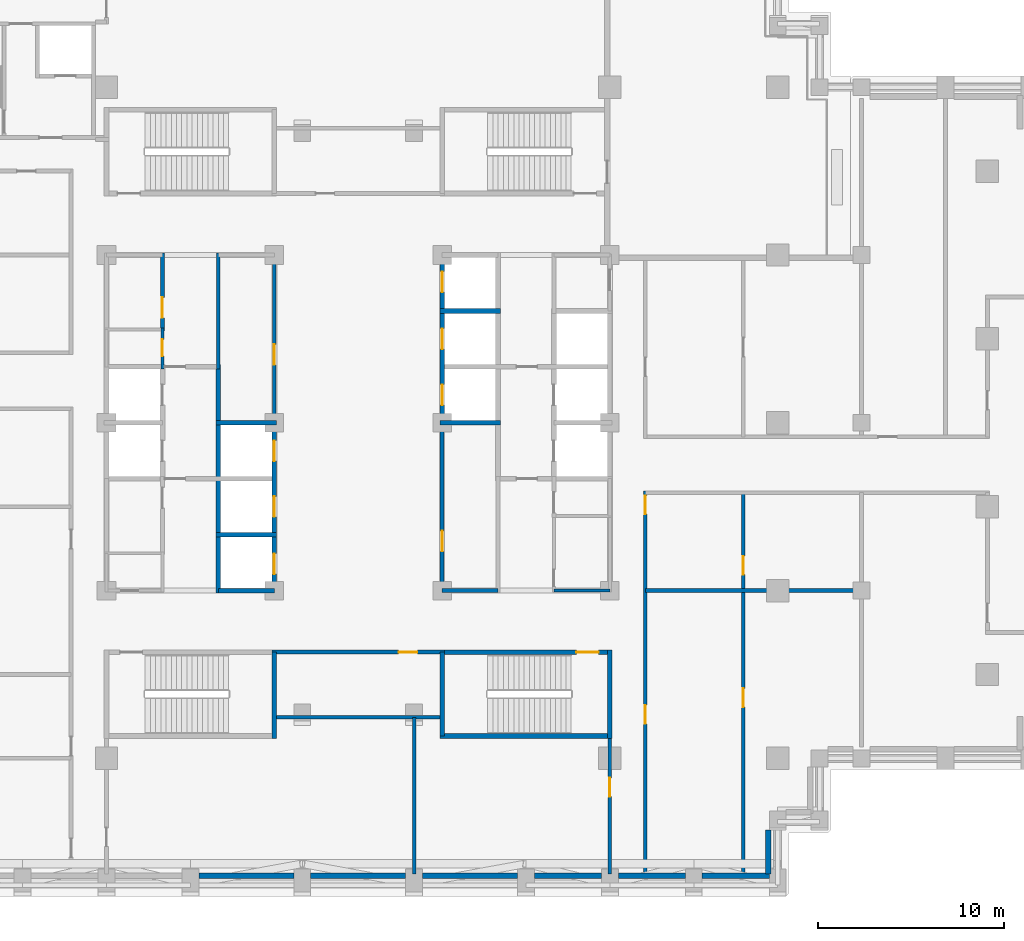
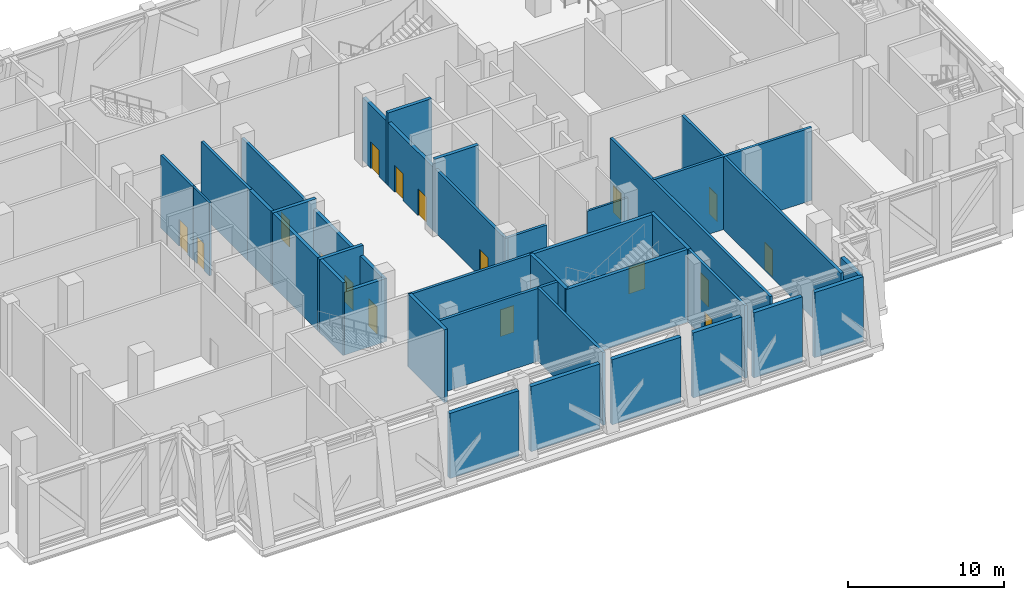
# One storey, part 6 of 14: 34 walls, 17 doors, 17 openings.
"""IFC4 building model written with IfcOpenShell, lengths in metres."""

from ifc_helpers import new_model, si_unit, direction, frame, frame_2d, origin, place, context, subcontext, project, spatial, rectangle, extrude, material, layer, layer_set, type_object, element, fill, save


model = new_model("IFC4")

# Units and contexts
model_context = context("Model", 3, precision=1e-05, world=origin(), true_north=direction((0.0, 1.0)))
body_context = subcontext(model_context, "Body", "Model", "MODEL_VIEW")
ifc_project = project(units=[si_unit("LENGTHUNIT", "METRE"), si_unit("AREAUNIT", "SQUARE_METRE"), si_unit("VOLUMEUNIT", "CUBIC_METRE"), si_unit("PLANEANGLEUNIT", "RADIAN"), si_unit("MASSUNIT", "GRAM", prefix="KILO")], contexts=[model_context])

# Site, building, storey
site_placement = place(None, origin())
site = spatial("IfcSite", under=ifc_project, at=site_placement, CompositionType="ELEMENT")
building_placement = place(site_placement, origin())
building = spatial("IfcBuilding", under=site, at=building_placement, Name="Corbelhall Arena Tower", CompositionType="ELEMENT")
storey_placement = place(building_placement, frame((0.0, 0.0, 120.0)))
storey = spatial("IfcBuildingStorey", under=building, at=storey_placement, Name="L22", CompositionType="ELEMENT", Elevation=120.0)

# Walls
ifc_material_1 = material(Name="Precast concrete C40/50 with granite facing", Category="masonry")
ifc_layer_1 = layer(ifc_material_1, 0.300048828125)
ifc_layer_set_1 = layer_set([ifc_layer_1], Name="EV-IW1 Infill panel 300")
wall_type_1 = type_object("IfcWallType", Name="EV-IW1 Infill panel 300", PredefinedType="SOLIDWALL", material=ifc_layer_set_1)
for number, where, z_axis, x_axis, name in (
    (1, (-8.550048828125, -24.300048828125, 0.0), (0.0, 0.0, 1.0), (1.0, 0.0, 0.0), "Infill panel IW1"),
    (2, (-2.550048828125, -24.300048828125, 0.0), (0.0, 0.0, 1.0), (1.0, 0.0, 0.0), "Infill panel IW1"),
    (3, (3.449951171875, -24.300048828125, 0.0), (0.0, 0.0, 1.0), (1.0, 0.0, 0.0), "Infill panel IW1"),
):
    element("IfcWall", number, at=place(storey_placement, frame(where, z_axis=z_axis, x_axis=x_axis)), inside=storey, type_object=wall_type_1, Name=name, PredefinedType="SOLIDWALL", context=body_context, shape_type="SweptSolid", body=[
        extrude(rectangle(XDim=5.10009765625, YDim=0.300048828125, at=frame_2d((2.550048828125, 0.0))), origin(), (0.0, 0.0, 1.0), 5.10009765625),
    ])
for number, where, z_axis, x_axis, name in (
    (4, (9.449951171875, -24.300048828125, 0.0), (0.0, 0.0, 1.0), (1.0, 0.0, 0.0), "Infill panel IW1"),
    (5, (13.949951171875, -24.300048828125, 0.0), (0.0, 0.0, 1.0), (1.0, 0.0, 0.0), "Infill panel IW1"),
    (6, (18.449951171875, -24.300048828125, 0.0), (0.0, 0.0, 1.0), (1.0, 0.0, 0.0), "Infill panel IW1"),
):
    element("IfcWall", number, at=place(storey_placement, frame(where, z_axis=z_axis, x_axis=x_axis)), inside=storey, type_object=wall_type_1, Name=name, PredefinedType="SOLIDWALL", context=body_context, shape_type="SweptSolid", body=[
        extrude(rectangle(XDim=3.60009765625, YDim=0.300048828125, at=frame_2d((1.800048828125, 0.0))), origin(), (0.0, 0.0, 1.0), 5.10009765625),
    ])
wall_1_placement = place(storey_placement, frame((22.0, -24.199951171875, 0.0), z_axis=(0.0, 0.0, 1.0), x_axis=(0.0, 1.0, 0.0)))
element("IfcWall", 7, at=wall_1_placement, inside=storey, type_object=wall_type_1, Name="Infill panel IW1", PredefinedType="SOLIDWALL", context=body_context, shape_type="SweptSolid", body=[
    extrude(rectangle(XDim=2.349853515625, YDim=0.300048828125, at=frame_2d((1.1748046875, 0.0))), origin(), (0.0, 0.0, 1.0), 5.10009765625),
])
ifc_material_2 = material(Name="Gypsum board on steel stud, acoustic", Category="steel")
ifc_layer_2 = layer(ifc_material_2, 0.199951171875)
ifc_layer_set_2 = layer_set([ifc_layer_2], Name="IN-W-DM200")
wall_type_2 = type_object("IfcWallType", Name="IN-W-DM200", PredefinedType="PARTITIONING", material=ifc_layer_set_2)
wall_2_placement = place(storey_placement, frame((4.5, -15.800048828125, 0.0), z_axis=(0.0, 0.0, 1.0), x_axis=(-1.0, 0.0, 0.0)))
element("IfcWall", 8, at=wall_2_placement, inside=storey, type_object=wall_type_2, Name="Partition 024", PredefinedType="PARTITIONING", context=body_context, shape_type="SweptSolid", body=[
    extrude(rectangle(XDim=9.0, YDim=0.199951171875, at=frame_2d((4.5, 0.0))), origin(), (0.0, 0.0, 1.0), 5.699951171875),
])
wall_3_placement = place(storey_placement, frame((3.0, -15.800048828125, 0.0), z_axis=(0.0, 0.0, 1.0), x_axis=(0.0, -1.0, 0.0)))
element("IfcWall", 9, at=wall_3_placement, inside=storey, type_object=wall_type_2, Name="Partition 025", PredefinedType="PARTITIONING", context=body_context, shape_type="SweptSolid", body=[
    extrude(rectangle(XDim=8.39990234375, YDim=0.199951171875, at=frame_2d((4.199951171875, 0.0))), origin(), (0.0, 0.0, 1.0), 5.699951171875),
])

# Wall, opening, door
wall_4_placement = place(storey_placement, frame((4.625, -12.300048828125, 0.0), z_axis=(0.0, 0.0, 1.0), x_axis=(-1.0, 0.0, 0.0)))
wall_4 = element("IfcWall", 10, at=wall_4_placement, inside=storey, type_object=wall_type_2, Name="Partition 026", PredefinedType="PARTITIONING", context=body_context, shape_type="SweptSolid", body=[
    extrude(rectangle(XDim=9.25, YDim=0.199951171875, at=frame_2d((4.625, 0.0))), origin(), (0.0, 0.0, 1.0), 5.699951171875),
])
opening_1_placement = place(wall_4_placement, frame((1.449951171875, 0.0, 0.0)))
opening_1 = element("IfcOpeningElement", 11, at=opening_1_placement, cuts=wall_4, Name="Opening 26023", PredefinedType="OPENING", context=body_context, shape_type="SweptSolid", body=[
    extrude(rectangle(XDim=1.0, YDim=2.10009765625, at=frame_2d((0.5, 1.050048828125))), frame((0.0, 0.10009765625, 0.0), z_axis=(0.0, -1.0, 0.0), x_axis=(1.0, 0.0, 0.0)), (0.0, 0.0, 1.0), 0.199951171875),
])
ifc_material_3 = material(Name="Steel door set", Category="steel")
door_type_1 = type_object("IfcDoorType", Name="IN-D-SW100", OperationType="NOTDEFINED", PredefinedType="DOOR", material=ifc_material_3)
door_1_placement = place(opening_1_placement, origin())
door_1 = element("IfcDoor", 12, at=door_1_placement, inside=storey, type_object=door_type_1, Name="Door 023", OperationType="SINGLE_SWING_RIGHT", OverallHeight=2.10009765625, OverallWidth=1.0, PredefinedType="DOOR", context=body_context, shape_type="SweptSolid", body=[
    extrude(rectangle(XDim=1.0, YDim=2.10009765625, at=frame_2d((0.5, 1.050048828125))), frame((0.0, 0.02490234375, 0.0), z_axis=(0.0, -1.0, 0.0), x_axis=(1.0, 0.0, 0.0)), (0.0, 0.0, 1.0), 0.050048828125),
])
fill(opening_1, door_1)

wall_5_placement = place(storey_placement, frame((13.5, -24.199951171875, 0.0), z_axis=(0.0, 0.0, 1.0), x_axis=(0.0, 1.0, 0.0)))
wall_5 = element("IfcWall", 13, at=wall_5_placement, inside=storey, type_object=wall_type_2, Name="Partition 027", PredefinedType="PARTITIONING", context=body_context, shape_type="SweptSolid", body=[
    extrude(rectangle(XDim=7.52490234375, YDim=0.199951171875, at=frame_2d((3.762451171875, 0.0))), origin(), (0.0, 0.0, 1.0), 5.699951171875),
])
opening_2_placement = place(wall_5_placement, frame((4.14990234375, 0.0, 0.0)))
opening_2 = element("IfcOpeningElement", 14, at=opening_2_placement, cuts=wall_5, Name="Opening 26026", PredefinedType="OPENING", context=body_context, shape_type="SweptSolid", body=[
    extrude(rectangle(XDim=1.0, YDim=2.10009765625, at=frame_2d((0.5, 1.050048828125))), frame((0.0, 0.10009765625, 0.0), z_axis=(0.0, -1.0, 0.0), x_axis=(1.0, 0.0, 0.0)), (0.0, 0.0, 1.0), 0.199951171875),
])
door_2_placement = place(opening_2_placement, origin())
door_2 = element("IfcDoor", 15, at=door_2_placement, inside=storey, type_object=door_type_1, Name="Door 026", OperationType="SINGLE_SWING_LEFT", OverallHeight=2.10009765625, OverallWidth=1.0, PredefinedType="DOOR", context=body_context, shape_type="SweptSolid", body=[
    extrude(rectangle(XDim=1.0, YDim=2.10009765625, at=frame_2d((0.5, 1.050048828125))), frame((0.0, 0.02490234375, 0.0), z_axis=(0.0, -1.0, 0.0), x_axis=(1.0, 0.0, 0.0)), (0.0, 0.0, 1.0), 0.050048828125),
])
fill(opening_2, door_2)

# Wall
wall_6_placement = place(storey_placement, frame((15.39990234375, -9.0, 0.0), z_axis=(0.0, 0.0, 1.0), x_axis=(1.0, 0.0, 0.0)))
element("IfcWall", 16, at=wall_6_placement, inside=storey, type_object=wall_type_2, Name="Partition 028", PredefinedType="PARTITIONING", context=body_context, shape_type="SweptSolid", body=[
    extrude(rectangle(XDim=11.7001953125, YDim=0.199951171875, at=frame_2d((5.85009765625, 0.0))), origin(), (0.0, 0.0, 1.0), 5.699951171875),
])

# Wall, openings, doors
wall_7_placement = place(storey_placement, frame((15.39990234375, -3.64990234375, 0.0), z_axis=(0.0, 0.0, 1.0), x_axis=(0.0, -1.0, 0.0)))
wall_7 = element("IfcWall", 17, at=wall_7_placement, inside=storey, type_object=wall_type_2, Name="Partition 029", PredefinedType="PARTITIONING", context=body_context, shape_type="SweptSolid", body=[
    extrude(rectangle(XDim=20.5, YDim=0.199951171875, at=frame_2d((10.25, 0.0))), origin(), (0.0, 0.0, 1.0), 5.699951171875),
])
opening_3_placement = place(wall_7_placement, frame((11.5, 0.0, 0.0)))
opening_3 = element("IfcOpeningElement", 18, at=opening_3_placement, cuts=wall_7, Name="Opening 26035", PredefinedType="OPENING", context=body_context, shape_type="SweptSolid", body=[
    extrude(rectangle(XDim=1.0, YDim=2.10009765625, at=frame_2d((0.5, 1.050048828125))), frame((0.0, 0.10009765625, 0.0), z_axis=(0.0, -1.0, 0.0), x_axis=(1.0, 0.0, 0.0)), (0.0, 0.0, 1.0), 0.199951171875),
])
opening_4_placement = place(wall_7_placement, frame((0.25, 0.0, 0.0)))
opening_4 = element("IfcOpeningElement", 19, at=opening_4_placement, cuts=wall_7, Name="Opening 26037", PredefinedType="OPENING", context=body_context, shape_type="SweptSolid", body=[
    extrude(rectangle(XDim=1.0, YDim=2.10009765625, at=frame_2d((0.5, 1.050048828125))), frame((0.0, 0.10009765625, 0.0), z_axis=(0.0, -1.0, 0.0), x_axis=(1.0, 0.0, 0.0)), (0.0, 0.0, 1.0), 0.199951171875),
])
door_3_placement = place(opening_3_placement, origin())
door_3 = element("IfcDoor", 20, at=door_3_placement, inside=storey, type_object=door_type_1, Name="Door 035", OperationType="SINGLE_SWING_RIGHT", OverallHeight=2.10009765625, OverallWidth=1.0, PredefinedType="DOOR", context=body_context, shape_type="SweptSolid", body=[
    extrude(rectangle(XDim=1.0, YDim=2.10009765625, at=frame_2d((0.5, 1.050048828125))), frame((0.0, 0.02490234375, 0.0), z_axis=(0.0, -1.0, 0.0), x_axis=(1.0, 0.0, 0.0)), (0.0, 0.0, 1.0), 0.050048828125),
])
fill(opening_3, door_3)
door_4_placement = place(opening_4_placement, origin())
door_4 = element("IfcDoor", 21, at=door_4_placement, inside=storey, type_object=door_type_1, Name="Door 037", OperationType="SINGLE_SWING_RIGHT", OverallHeight=2.10009765625, OverallWidth=1.0, PredefinedType="DOOR", context=body_context, shape_type="SweptSolid", body=[
    extrude(rectangle(XDim=1.0, YDim=2.10009765625, at=frame_2d((0.5, 1.050048828125))), frame((0.0, 0.02490234375, 0.0), z_axis=(0.0, -1.0, 0.0), x_axis=(1.0, 0.0, 0.0)), (0.0, 0.0, 1.0), 0.050048828125),
])
fill(opening_4, door_4)

wall_8_placement = place(storey_placement, frame((20.64990234375, -3.75, 0.0), z_axis=(0.0, 0.0, 1.0), x_axis=(0.0, -1.0, 0.0)))
wall_8 = element("IfcWall", 22, at=wall_8_placement, inside=storey, type_object=wall_type_2, Name="Partition 032", PredefinedType="PARTITIONING", context=body_context, shape_type="SweptSolid", body=[
    extrude(rectangle(XDim=20.39990234375, YDim=0.199951171875, at=frame_2d((10.199951171875, 0.0))), origin(), (0.0, 0.0, 1.0), 5.699951171875),
])
opening_5_placement = place(wall_8_placement, frame((10.5, 0.0, 0.0)))
opening_5 = element("IfcOpeningElement", 23, at=opening_5_placement, cuts=wall_8, Name="Opening 26036", PredefinedType="OPENING", context=body_context, shape_type="SweptSolid", body=[
    extrude(rectangle(XDim=1.0, YDim=2.10009765625, at=frame_2d((0.5, 1.050048828125))), frame((0.0, 0.10009765625, 0.0), z_axis=(0.0, -1.0, 0.0), x_axis=(1.0, 0.0, 0.0)), (0.0, 0.0, 1.0), 0.199951171875),
])
opening_6_placement = place(wall_8_placement, frame((3.39990234375, 0.0, 0.0)))
opening_6 = element("IfcOpeningElement", 24, at=opening_6_placement, cuts=wall_8, Name="Opening 26038", PredefinedType="OPENING", context=body_context, shape_type="SweptSolid", body=[
    extrude(rectangle(XDim=1.0, YDim=2.10009765625, at=frame_2d((0.5, 1.050048828125))), frame((0.0, 0.10009765625, 0.0), z_axis=(0.0, -1.0, 0.0), x_axis=(1.0, 0.0, 0.0)), (0.0, 0.0, 1.0), 0.199951171875),
])
door_5_placement = place(opening_5_placement, origin())
door_5 = element("IfcDoor", 25, at=door_5_placement, inside=storey, type_object=door_type_1, Name="Door 036", OperationType="SINGLE_SWING_LEFT", OverallHeight=2.10009765625, OverallWidth=1.0, PredefinedType="DOOR", context=body_context, shape_type="SweptSolid", body=[
    extrude(rectangle(XDim=1.0, YDim=2.10009765625, at=frame_2d((0.5, 1.050048828125))), frame((0.0, 0.02490234375, 0.0), z_axis=(0.0, -1.0, 0.0), x_axis=(1.0, 0.0, 0.0)), (0.0, 0.0, 1.0), 0.050048828125),
])
fill(opening_5, door_5)
door_6_placement = place(opening_6_placement, origin())
door_6 = element("IfcDoor", 26, at=door_6_placement, inside=storey, type_object=door_type_1, Name="Door 038", OperationType="SINGLE_SWING_LEFT", OverallHeight=2.10009765625, OverallWidth=1.0, PredefinedType="DOOR", context=body_context, shape_type="SweptSolid", body=[
    extrude(rectangle(XDim=1.0, YDim=2.10009765625, at=frame_2d((0.5, 1.050048828125))), frame((0.0, 0.02490234375, 0.0), z_axis=(0.0, -1.0, 0.0), x_axis=(1.0, 0.0, 0.0)), (0.0, 0.0, 1.0), 0.050048828125),
])
fill(opening_6, door_6)

# Wall, opening, door
ifc_material_4 = material(Name="Concrete block wall", Category="concrete")
ifc_layer_3 = layer(ifc_material_4, 0.199951171875)
ifc_layer_set_3 = layer_set([ifc_layer_3], Name="IN-W-RS200")
wall_type_3 = type_object("IfcWallType", Name="IN-W-RS200", PredefinedType="SOLIDWALL", material=ifc_layer_set_3)
wall_9_placement = place(storey_placement, frame((-10.5, 4.925048828125, 0.0), z_axis=(0.0, 0.0, 1.0), x_axis=(0.0, 1.0, 0.0)))
wall_9 = element("IfcWall", 27, at=wall_9_placement, inside=storey, type_object=wall_type_3, Name="Partition 046", PredefinedType="SOLIDWALL", context=body_context, shape_type="SweptSolid", body=[
    extrude(rectangle(XDim=4.175048828125, YDim=0.199951171875, at=frame_2d((2.08740234375, 0.0))), origin(), (0.0, 0.0, 1.0), 5.699951171875),
])
opening_7_placement = place(wall_9_placement, frame((0.699951171875, 0.0, 0.0)))
opening_7 = element("IfcOpeningElement", 28, at=opening_7_placement, cuts=wall_9, Name="Opening 26007", PredefinedType="OPENING", context=body_context, shape_type="SweptSolid", body=[
    extrude(rectangle(XDim=1.10009765625, YDim=2.10009765625, at=frame_2d((0.550048828125, 1.050048828125))), frame((0.0, 0.10009765625, 0.0), z_axis=(0.0, -1.0, 0.0), x_axis=(1.0, 0.0, 0.0)), (0.0, 0.0, 1.0), 0.199951171875),
])
door_type_2 = type_object("IfcDoorType", Name="IN-D-FD110", OperationType="NOTDEFINED", PredefinedType="DOOR", material=ifc_material_3)
door_7_placement = place(opening_7_placement, origin())
door_7 = element("IfcDoor", 29, at=door_7_placement, inside=storey, type_object=door_type_2, Name="Door 007", OperationType="SINGLE_SWING_RIGHT", OverallHeight=2.10009765625, OverallWidth=1.10009765625, PredefinedType="DOOR", context=body_context, shape_type="SweptSolid", body=[
    extrude(rectangle(XDim=1.10009765625, YDim=2.10009765625, at=frame_2d((0.550048828125, 1.050048828125))), frame((0.0, 0.02490234375, 0.0), z_axis=(0.0, -1.0, 0.0), x_axis=(1.0, 0.0, 0.0)), (0.0, 0.0, 1.0), 0.050048828125),
])
fill(opening_7, door_7)

# Wall
wall_10_placement = place(storey_placement, frame((-7.5, 2.875, 0.0), z_axis=(0.0, 0.0, 1.0), x_axis=(0.0, 1.0, 0.0)))
element("IfcWall", 30, at=wall_10_placement, inside=storey, type_object=wall_type_3, Name="Partition 047", PredefinedType="SOLIDWALL", context=body_context, shape_type="SweptSolid", body=[
    extrude(rectangle(XDim=6.22509765625, YDim=0.199951171875, at=frame_2d((3.112548828125, 0.0))), origin(), (0.0, 0.0, 1.0), 5.699951171875),
])

# Wall, opening, door
ifc_layer_4 = layer(ifc_material_4, 0.199951171875)
ifc_layer_set_4 = layer_set([ifc_layer_4], Name="IN-W-RS200 under beam 762 mm")
wall_type_4 = type_object("IfcWallType", Name="IN-W-RS200 under beam 762 mm", PredefinedType="SOLIDWALL", material=ifc_layer_set_4)
wall_11_placement = place(storey_placement, frame((-4.5, 9.10009765625, 0.0), z_axis=(0.0, 0.0, 1.0), x_axis=(0.0, -1.0, 0.0)))
wall_11 = element("IfcWall", 31, at=wall_11_placement, inside=storey, type_object=wall_type_4, Name="Partition 049", PredefinedType="SOLIDWALL", context=body_context, shape_type="SweptSolid", body=[
    extrude(rectangle(XDim=9.10009765625, YDim=0.199951171875, at=frame_2d((4.550048828125, 0.0))), origin(), (0.0, 0.0, 1.0), 4.93798828125),
])
opening_8_placement = place(wall_11_placement, frame((4.89990234375, 0.0, 0.0)))
opening_8 = element("IfcOpeningElement", 32, at=opening_8_placement, cuts=wall_11, Name="Opening 26001", PredefinedType="OPENING", context=body_context, shape_type="SweptSolid", body=[
    extrude(rectangle(XDim=1.10009765625, YDim=2.10009765625, at=frame_2d((0.550048828125, 1.050048828125))), frame((0.0, 0.10009765625, 0.0), z_axis=(0.0, -1.0, 0.0), x_axis=(1.0, 0.0, 0.0)), (0.0, 0.0, 1.0), 0.199951171875),
])
door_8_placement = place(opening_8_placement, origin())
door_8 = element("IfcDoor", 33, at=door_8_placement, inside=storey, type_object=door_type_2, Name="Door 001", OperationType="SINGLE_SWING_RIGHT", OverallHeight=2.10009765625, OverallWidth=1.10009765625, PredefinedType="DOOR", context=body_context, shape_type="SweptSolid", body=[
    extrude(rectangle(XDim=1.10009765625, YDim=2.10009765625, at=frame_2d((0.550048828125, 1.050048828125))), frame((0.0, 0.02490234375, 0.0), z_axis=(0.0, -1.0, 0.0), x_axis=(1.0, 0.0, 0.0)), (0.0, 0.0, 1.0), 0.050048828125),
])
fill(opening_8, door_8)

wall_12_placement = place(storey_placement, frame((4.5, -9.10009765625, 0.0), z_axis=(0.0, 0.0, 1.0), x_axis=(0.0, 1.0, 0.0)))
wall_12 = element("IfcWall", 34, at=wall_12_placement, inside=storey, type_object=wall_type_4, Name="Partition 050", PredefinedType="SOLIDWALL", context=body_context, shape_type="SweptSolid", body=[
    extrude(rectangle(XDim=9.10009765625, YDim=0.199951171875, at=frame_2d((4.550048828125, 0.0))), origin(), (0.0, 0.0, 1.0), 4.93798828125),
])
opening_9_placement = place(wall_12_placement, frame((2.199951171875, 0.0, 0.0)))
opening_9 = element("IfcOpeningElement", 35, at=opening_9_placement, cuts=wall_12, Name="Opening 26008", PredefinedType="OPENING", context=body_context, shape_type="SweptSolid", body=[
    extrude(rectangle(XDim=1.10009765625, YDim=2.10009765625, at=frame_2d((0.550048828125, 1.050048828125))), frame((0.0, 0.10009765625, 0.0), z_axis=(0.0, -1.0, 0.0), x_axis=(1.0, 0.0, 0.0)), (0.0, 0.0, 1.0), 0.199951171875),
])
door_9_placement = place(opening_9_placement, origin())
door_9 = element("IfcDoor", 36, at=door_9_placement, inside=storey, type_object=door_type_2, Name="Door 008", OperationType="SINGLE_SWING_LEFT", OverallHeight=2.10009765625, OverallWidth=1.10009765625, PredefinedType="DOOR", context=body_context, shape_type="SweptSolid", body=[
    extrude(rectangle(XDim=1.10009765625, YDim=2.10009765625, at=frame_2d((0.550048828125, 1.050048828125))), frame((0.0, 0.02490234375, 0.0), z_axis=(0.0, -1.0, 0.0), x_axis=(1.0, 0.0, 0.0)), (0.0, 0.0, 1.0), 0.050048828125),
])
fill(opening_9, door_9)

# Walls
wall_13_placement = place(storey_placement, frame((7.5, -9.0, 0.0), z_axis=(0.0, 0.0, 1.0), x_axis=(-1.0, 0.0, 0.0)))
element("IfcWall", 37, at=wall_13_placement, inside=storey, type_object=wall_type_4, Name="Partition 051", PredefinedType="SOLIDWALL", context=body_context, shape_type="SweptSolid", body=[
    extrude(rectangle(XDim=3.0, YDim=0.199951171875, at=frame_2d((1.5, 0.0))), origin(), (0.0, 0.0, 1.0), 4.93798828125),
])
ifc_material_5 = material(Name="Concrete C40/50", Category="concrete")
ifc_layer_5 = layer(ifc_material_5, 0.25)
ifc_layer_set_5 = layer_set([ifc_layer_5], Name="IN-W-SH250")
wall_type_5 = type_object("IfcWallType", Name="IN-W-SH250", PredefinedType="SOLIDWALL", material=ifc_layer_set_5)
for number, where, z_axis, x_axis, name in (
    (38, (-7.625, -6.0, 0.0), (0.0, 0.0, 1.0), (1.0, 0.0, 0.0), "Shaft wall 063"),
    (39, (-7.625, 0.0, 0.0), (0.0, 0.0, 1.0), (1.0, 0.0, 0.0), "Shaft wall 064"),
):
    element("IfcWall", number, at=place(storey_placement, frame(where, z_axis=z_axis, x_axis=x_axis)), inside=storey, type_object=wall_type_5, Name=name, PredefinedType="SOLIDWALL", context=body_context, shape_type="SweptSolid", body=[
        extrude(rectangle(XDim=3.25, YDim=0.25, at=frame_2d((1.625, 0.0))), origin(), (0.0, 0.0, 1.0), 5.699951171875),
    ])
wall_14_placement = place(storey_placement, frame((-7.5, -9.125, 0.0), z_axis=(0.0, 0.0, 1.0), x_axis=(0.0, 1.0, 0.0)))
element("IfcWall", 40, at=wall_14_placement, inside=storey, type_object=wall_type_5, Name="Shaft wall 065", PredefinedType="SOLIDWALL", context=body_context, shape_type="SweptSolid", body=[
    extrude(rectangle(XDim=12.25, YDim=0.25, at=frame_2d((6.125, 0.0))), origin(), (0.0, 0.0, 1.0), 5.699951171875),
])
for number, where, z_axis, x_axis, name in (
    (41, (4.375, 0.0, 0.0), (0.0, 0.0, 1.0), (1.0, 0.0, 0.0), "Shaft wall 068"),
    (42, (4.375, 6.0, 0.0), (0.0, 0.0, 1.0), (1.0, 0.0, 0.0), "Shaft wall 070"),
):
    element("IfcWall", number, at=place(storey_placement, frame(where, z_axis=z_axis, x_axis=x_axis)), inside=storey, type_object=wall_type_5, Name=name, PredefinedType="SOLIDWALL", context=body_context, shape_type="SweptSolid", body=[
        extrude(rectangle(XDim=3.25, YDim=0.25, at=frame_2d((1.625, 0.0))), origin(), (0.0, 0.0, 1.0), 5.699951171875),
    ])
ifc_layer_6 = layer(ifc_material_5, 0.25)
ifc_layer_set_6 = layer_set([ifc_layer_6], Name="IN-W-SH250 under beam 762 mm")
wall_type_6 = type_object("IfcWallType", Name="IN-W-SH250 under beam 762 mm", PredefinedType="SOLIDWALL", material=ifc_layer_set_6)
wall_15_placement = place(storey_placement, frame((-4.5, -9.0, 0.0), z_axis=(0.0, 0.0, 1.0), x_axis=(-1.0, 0.0, 0.0)))
element("IfcWall", 43, at=wall_15_placement, inside=storey, type_object=wall_type_6, Name="Shaft wall 066", PredefinedType="SOLIDWALL", context=body_context, shape_type="SweptSolid", body=[
    extrude(rectangle(XDim=3.0, YDim=0.25, at=frame_2d((1.5, 0.0))), origin(), (0.0, 0.0, 1.0), 4.93798828125),
])

# Wall, openings, doors
wall_16_placement = place(storey_placement, frame((-4.5, 0.0, 0.0), z_axis=(0.0, 0.0, 1.0), x_axis=(0.0, -1.0, 0.0)))
wall_16 = element("IfcWall", 44, at=wall_16_placement, inside=storey, type_object=wall_type_6, Name="Shaft wall 067", PredefinedType="SOLIDWALL", context=body_context, shape_type="SweptSolid", body=[
    extrude(rectangle(XDim=9.125, YDim=0.25, at=frame_2d((4.5625, 0.0))), origin(), (0.0, 0.0, 1.0), 4.93798828125),
])
opening_10_placement = place(wall_16_placement, frame((7.012451171875, 0.0, 0.0)))
opening_10 = element("IfcOpeningElement", 45, at=opening_10_placement, cuts=wall_16, Name="Opening LD", PredefinedType="OPENING", context=body_context, shape_type="SweptSolid", body=[
    extrude(rectangle(XDim=1.10009765625, YDim=2.10009765625, at=frame_2d((0.550048828125, 1.050048828125))), frame((0.0, 0.125, 0.0), z_axis=(0.0, -1.0, 0.0), x_axis=(1.0, 0.0, 0.0)), (0.0, 0.0, 1.0), 0.25),
])
opening_11_placement = place(wall_16_placement, frame((3.949951171875, 0.0, 0.0)))
opening_11 = element("IfcOpeningElement", 46, at=opening_11_placement, cuts=wall_16, Name="Opening LD", PredefinedType="OPENING", context=body_context, shape_type="SweptSolid", body=[
    extrude(rectangle(XDim=1.10009765625, YDim=2.10009765625, at=frame_2d((0.550048828125, 1.050048828125))), frame((0.0, 0.125, 0.0), z_axis=(0.0, -1.0, 0.0), x_axis=(1.0, 0.0, 0.0)), (0.0, 0.0, 1.0), 0.25),
])
opening_12_placement = place(wall_16_placement, frame((0.949951171875, 0.0, 0.0)))
opening_12 = element("IfcOpeningElement", 47, at=opening_12_placement, cuts=wall_16, Name="Opening LD", PredefinedType="OPENING", context=body_context, shape_type="SweptSolid", body=[
    extrude(rectangle(XDim=1.10009765625, YDim=2.10009765625, at=frame_2d((0.550048828125, 1.050048828125))), frame((0.0, 0.125, 0.0), z_axis=(0.0, -1.0, 0.0), x_axis=(1.0, 0.0, 0.0)), (0.0, 0.0, 1.0), 0.25),
])
door_type_3 = type_object("IfcDoorType", Name="IN-D-LD110", OperationType="NOTDEFINED", PredefinedType="DOOR", material=ifc_material_3)
door_10_placement = place(opening_10_placement, origin())
door_10 = element("IfcDoor", 48, at=door_10_placement, inside=storey, type_object=door_type_3, Name="Landing door W1", OperationType="SLIDING_TO_LEFT", OverallHeight=2.10009765625, OverallWidth=1.10009765625, PredefinedType="DOOR", context=body_context, shape_type="SweptSolid", body=[
    extrude(rectangle(XDim=1.10009765625, YDim=2.10009765625, at=frame_2d((0.550048828125, 1.050048828125))), frame((0.0, 0.02490234375, 0.0), z_axis=(0.0, -1.0, 0.0), x_axis=(1.0, 0.0, 0.0)), (0.0, 0.0, 1.0), 0.050048828125),
])
fill(opening_10, door_10)
door_11_placement = place(opening_11_placement, origin())
door_11 = element("IfcDoor", 49, at=door_11_placement, inside=storey, type_object=door_type_3, Name="Landing door W2", OperationType="SLIDING_TO_LEFT", OverallHeight=2.10009765625, OverallWidth=1.10009765625, PredefinedType="DOOR", context=body_context, shape_type="SweptSolid", body=[
    extrude(rectangle(XDim=1.10009765625, YDim=2.10009765625, at=frame_2d((0.550048828125, 1.050048828125))), frame((0.0, 0.02490234375, 0.0), z_axis=(0.0, -1.0, 0.0), x_axis=(1.0, 0.0, 0.0)), (0.0, 0.0, 1.0), 0.050048828125),
])
fill(opening_11, door_11)
door_12_placement = place(opening_12_placement, origin())
door_12 = element("IfcDoor", 50, at=door_12_placement, inside=storey, type_object=door_type_3, Name="Landing door W3", OperationType="SLIDING_TO_LEFT", OverallHeight=2.10009765625, OverallWidth=1.10009765625, PredefinedType="DOOR", context=body_context, shape_type="SweptSolid", body=[
    extrude(rectangle(XDim=1.10009765625, YDim=2.10009765625, at=frame_2d((0.550048828125, 1.050048828125))), frame((0.0, 0.02490234375, 0.0), z_axis=(0.0, -1.0, 0.0), x_axis=(1.0, 0.0, 0.0)), (0.0, 0.0, 1.0), 0.050048828125),
])
fill(opening_12, door_12)

wall_17_placement = place(storey_placement, frame((4.5, 0.0, 0.0), z_axis=(0.0, 0.0, 1.0), x_axis=(0.0, 1.0, 0.0)))
wall_17 = element("IfcWall", 51, at=wall_17_placement, inside=storey, type_object=wall_type_6, Name="Shaft wall 071", PredefinedType="SOLIDWALL", context=body_context, shape_type="SweptSolid", body=[
    extrude(rectangle(XDim=9.125, YDim=0.25, at=frame_2d((4.5625, 0.0))), origin(), (0.0, 0.0, 1.0), 4.93798828125),
])
opening_13_placement = place(wall_17_placement, frame((0.949951171875, 0.0, 0.0)))
opening_13 = element("IfcOpeningElement", 52, at=opening_13_placement, cuts=wall_17, Name="Opening LD", PredefinedType="OPENING", context=body_context, shape_type="SweptSolid", body=[
    extrude(rectangle(XDim=1.10009765625, YDim=2.10009765625, at=frame_2d((0.550048828125, 1.050048828125))), frame((0.0, 0.125, 0.0), z_axis=(0.0, -1.0, 0.0), x_axis=(1.0, 0.0, 0.0)), (0.0, 0.0, 1.0), 0.25),
])
opening_14_placement = place(wall_17_placement, frame((3.949951171875, 0.0, 0.0)))
opening_14 = element("IfcOpeningElement", 53, at=opening_14_placement, cuts=wall_17, Name="Opening LD", PredefinedType="OPENING", context=body_context, shape_type="SweptSolid", body=[
    extrude(rectangle(XDim=1.10009765625, YDim=2.10009765625, at=frame_2d((0.550048828125, 1.050048828125))), frame((0.0, 0.125, 0.0), z_axis=(0.0, -1.0, 0.0), x_axis=(1.0, 0.0, 0.0)), (0.0, 0.0, 1.0), 0.25),
])
opening_15_placement = place(wall_17_placement, frame((7.012451171875, 0.0, 0.0)))
opening_15 = element("IfcOpeningElement", 54, at=opening_15_placement, cuts=wall_17, Name="Opening LD", PredefinedType="OPENING", context=body_context, shape_type="SweptSolid", body=[
    extrude(rectangle(XDim=1.10009765625, YDim=2.10009765625, at=frame_2d((0.550048828125, 1.050048828125))), frame((0.0, 0.125, 0.0), z_axis=(0.0, -1.0, 0.0), x_axis=(1.0, 0.0, 0.0)), (0.0, 0.0, 1.0), 0.25),
])
door_13_placement = place(opening_13_placement, origin())
door_13 = element("IfcDoor", 55, at=door_13_placement, inside=storey, type_object=door_type_3, Name="Landing door E4", OperationType="SLIDING_TO_LEFT", OverallHeight=2.10009765625, OverallWidth=1.10009765625, PredefinedType="DOOR", context=body_context, shape_type="SweptSolid", body=[
    extrude(rectangle(XDim=1.10009765625, YDim=2.10009765625, at=frame_2d((0.550048828125, 1.050048828125))), frame((0.0, 0.02490234375, 0.0), z_axis=(0.0, -1.0, 0.0), x_axis=(1.0, 0.0, 0.0)), (0.0, 0.0, 1.0), 0.050048828125),
])
fill(opening_13, door_13)
door_14_placement = place(opening_14_placement, origin())
door_14 = element("IfcDoor", 56, at=door_14_placement, inside=storey, type_object=door_type_3, Name="Landing door E5", OperationType="SLIDING_TO_LEFT", OverallHeight=2.10009765625, OverallWidth=1.10009765625, PredefinedType="DOOR", context=body_context, shape_type="SweptSolid", body=[
    extrude(rectangle(XDim=1.10009765625, YDim=2.10009765625, at=frame_2d((0.550048828125, 1.050048828125))), frame((0.0, 0.02490234375, 0.0), z_axis=(0.0, -1.0, 0.0), x_axis=(1.0, 0.0, 0.0)), (0.0, 0.0, 1.0), 0.050048828125),
])
fill(opening_14, door_14)
door_15_placement = place(opening_15_placement, origin())
door_15 = element("IfcDoor", 57, at=door_15_placement, inside=storey, type_object=door_type_3, Name="Landing door E6", OperationType="SLIDING_TO_LEFT", OverallHeight=2.10009765625, OverallWidth=1.10009765625, PredefinedType="DOOR", context=body_context, shape_type="SweptSolid", body=[
    extrude(rectangle(XDim=1.10009765625, YDim=2.10009765625, at=frame_2d((0.550048828125, 1.050048828125))), frame((0.0, 0.02490234375, 0.0), z_axis=(0.0, -1.0, 0.0), x_axis=(1.0, 0.0, 0.0)), (0.0, 0.0, 1.0), 0.050048828125),
])
fill(opening_15, door_15)

# Walls
ifc_layer_7 = layer(ifc_material_5, 0.25)
ifc_layer_set_7 = layer_set([ifc_layer_7], Name="IN-W-ST250")
wall_type_7 = type_object("IfcWallType", Name="IN-W-ST250", PredefinedType="SOLIDWALL", material=ifc_layer_set_7)
wall_18_placement = place(storey_placement, frame((-4.5, -12.300048828125, 0.0), z_axis=(0.0, 0.0, 1.0), x_axis=(0.0, -1.0, 0.0)))
element("IfcWall", 58, at=wall_18_placement, inside=storey, type_object=wall_type_7, Name="Shaft wall 090", PredefinedType="SOLIDWALL", context=body_context, shape_type="SweptSolid", body=[
    extrude(rectangle(XDim=4.625, YDim=0.25, at=frame_2d((2.3125, 0.0))), origin(), (0.0, 0.0, 1.0), 5.699951171875),
])
wall_19_placement = place(storey_placement, frame((4.5, -16.800048828125, 0.0), z_axis=(0.0, 0.0, 1.0), x_axis=(0.0, 1.0, 0.0)))
element("IfcWall", 59, at=wall_19_placement, inside=storey, type_object=wall_type_7, Name="Shaft wall 094", PredefinedType="SOLIDWALL", context=body_context, shape_type="SweptSolid", body=[
    extrude(rectangle(XDim=4.5, YDim=0.25, at=frame_2d((2.25, 0.0))), origin(), (0.0, 0.0, 1.0), 5.699951171875),
])
wall_20_placement = place(storey_placement, frame((13.5, -16.925048828125, 0.0), z_axis=(0.0, 0.0, 1.0), x_axis=(0.0, 1.0, 0.0)))
element("IfcWall", 60, at=wall_20_placement, inside=storey, type_object=wall_type_7, Name="Shaft wall 097", PredefinedType="SOLIDWALL", context=body_context, shape_type="SweptSolid", body=[
    extrude(rectangle(XDim=4.75, YDim=0.25, at=frame_2d((2.375, 0.0))), origin(), (0.0, 0.0, 1.0), 5.699951171875),
])
wall_21_placement = place(storey_placement, frame((13.5, -16.800048828125, 0.0), z_axis=(0.0, 0.0, 1.0), x_axis=(-1.0, 0.0, 0.0)))
element("IfcWall", 61, at=wall_21_placement, inside=storey, type_object=wall_type_7, Name="Shaft wall 098", PredefinedType="SOLIDWALL", context=body_context, shape_type="SweptSolid", body=[
    extrude(rectangle(XDim=9.125, YDim=0.25, at=frame_2d((4.5625, 0.0))), origin(), (0.0, 0.0, 1.0), 5.699951171875),
])

# Wall, opening, door
wall_22_placement = place(storey_placement, frame((13.5, -12.300048828125, 0.0), z_axis=(0.0, 0.0, 1.0), x_axis=(-1.0, 0.0, 0.0)))
wall_22 = element("IfcWall", 62, at=wall_22_placement, inside=storey, type_object=wall_type_7, Name="Shaft wall 099", PredefinedType="SOLIDWALL", context=body_context, shape_type="SweptSolid", body=[
    extrude(rectangle(XDim=9.125, YDim=0.25, at=frame_2d((4.5625, 0.0))), origin(), (0.0, 0.0, 1.0), 5.699951171875),
])
opening_16_placement = place(wall_22_placement, frame((0.60009765625, 0.0, 0.0)))
opening_16 = element("IfcOpeningElement", 63, at=opening_16_placement, cuts=wall_22, Name="Opening 26017", PredefinedType="OPENING", context=body_context, shape_type="SweptSolid", body=[
    extrude(rectangle(XDim=1.199951171875, YDim=2.10009765625, at=frame_2d((0.60009765625, 1.050048828125))), frame((0.0, 0.125, 0.0), z_axis=(0.0, -1.0, 0.0), x_axis=(1.0, 0.0, 0.0)), (0.0, 0.0, 1.0), 0.25),
])
door_type_4 = type_object("IfcDoorType", Name="IN-D-ST120", OperationType="NOTDEFINED", PredefinedType="DOOR", material=ifc_material_3)
door_16_placement = place(opening_16_placement, origin())
door_16 = element("IfcDoor", 64, at=door_16_placement, inside=storey, type_object=door_type_4, Name="Door 017", OperationType="SINGLE_SWING_RIGHT", OverallHeight=2.10009765625, OverallWidth=1.199951171875, PredefinedType="DOOR", context=body_context, shape_type="SweptSolid", body=[
    extrude(rectangle(XDim=1.199951171875, YDim=2.10009765625, at=frame_2d((0.60009765625, 1.050048828125))), frame((0.0, 0.02490234375, 0.0), z_axis=(0.0, -1.0, 0.0), x_axis=(1.0, 0.0, 0.0)), (0.0, 0.0, 1.0), 0.050048828125),
])
fill(opening_16, door_16)

ifc_material_6 = material(Name="Gypsum board on steel stud, moisture resistant", Category="steel")
ifc_layer_8 = layer(ifc_material_6, 0.14990234375)
ifc_layer_set_8 = layer_set([ifc_layer_8], Name="IN-W-WC150")
wall_type_8 = type_object("IfcWallType", Name="IN-W-WC150", PredefinedType="PARTITIONING", material=ifc_layer_set_8)
wall_23_placement = place(storey_placement, frame((-10.5, 2.875, 0.0), z_axis=(0.0, 0.0, 1.0), x_axis=(0.0, 1.0, 0.0)))
wall_23 = element("IfcWall", 65, at=wall_23_placement, inside=storey, type_object=wall_type_8, Name="Partition 112", PredefinedType="PARTITIONING", context=body_context, shape_type="SweptSolid", body=[
    extrude(rectangle(XDim=2.199951171875, YDim=0.14990234375, at=frame_2d((1.10009765625, 0.0))), origin(), (0.0, 0.0, 1.0), 5.699951171875),
])
opening_17_placement = place(wall_23_placement, frame((0.699951171875, 0.0, 0.0)))
opening_17 = element("IfcOpeningElement", 66, at=opening_17_placement, cuts=wall_23, Name="Opening 26006", PredefinedType="OPENING", context=body_context, shape_type="SweptSolid", body=[
    extrude(rectangle(XDim=0.89990234375, YDim=2.10009765625, at=frame_2d((0.449951171875, 1.050048828125))), frame((0.0, 0.074951171875, 0.0), z_axis=(0.0, -1.0, 0.0), x_axis=(1.0, 0.0, 0.0)), (0.0, 0.0, 1.0), 0.14990234375),
])
ifc_material_7 = material(Name="Timber door set", Category="wood")
door_type_5 = type_object("IfcDoorType", Name="IN-D-SW90", OperationType="NOTDEFINED", PredefinedType="DOOR", material=ifc_material_7)
door_17_placement = place(opening_17_placement, origin())
door_17 = element("IfcDoor", 67, at=door_17_placement, inside=storey, type_object=door_type_5, Name="Door 006", OperationType="SINGLE_SWING_LEFT", OverallHeight=2.10009765625, OverallWidth=0.89990234375, PredefinedType="DOOR", context=body_context, shape_type="SweptSolid", body=[
    extrude(rectangle(XDim=0.89990234375, YDim=2.10009765625, at=frame_2d((0.449951171875, 1.050048828125))), frame((0.0, 0.02490234375, 0.0), z_axis=(0.0, -1.0, 0.0), x_axis=(1.0, 0.0, 0.0)), (0.0, 0.0, 1.0), 0.050048828125),
])
fill(opening_17, door_17)

# Wall
ifc_layer_9 = layer(ifc_material_6, 0.14990234375)
ifc_layer_set_9 = layer_set([ifc_layer_9], Name="IN-W-WC150 under beam 762 mm")
wall_type_9 = type_object("IfcWallType", Name="IN-W-WC150 under beam 762 mm", PredefinedType="PARTITIONING", material=ifc_layer_set_9)
wall_24_placement = place(storey_placement, frame((13.5, -9.0, 0.0), z_axis=(0.0, 0.0, 1.0), x_axis=(-1.0, 0.0, 0.0)))
element("IfcWall", 68, at=wall_24_placement, inside=storey, type_object=wall_type_9, Name="Partition 115", PredefinedType="PARTITIONING", context=body_context, shape_type="SweptSolid", body=[
    extrude(rectangle(XDim=3.0, YDim=0.14990234375, at=frame_2d((1.5, 0.0))), origin(), (0.0, 0.0, 1.0), 4.93798828125),
])

save(model, "model.ifc")
